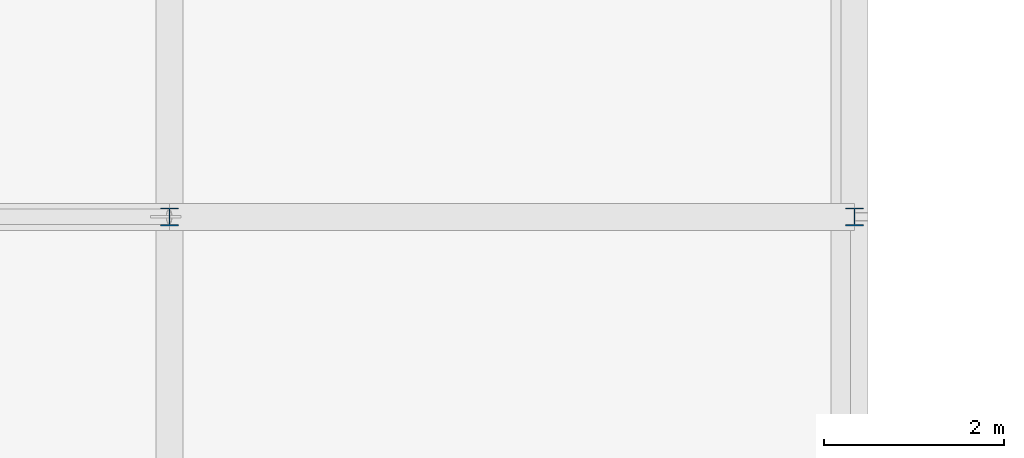
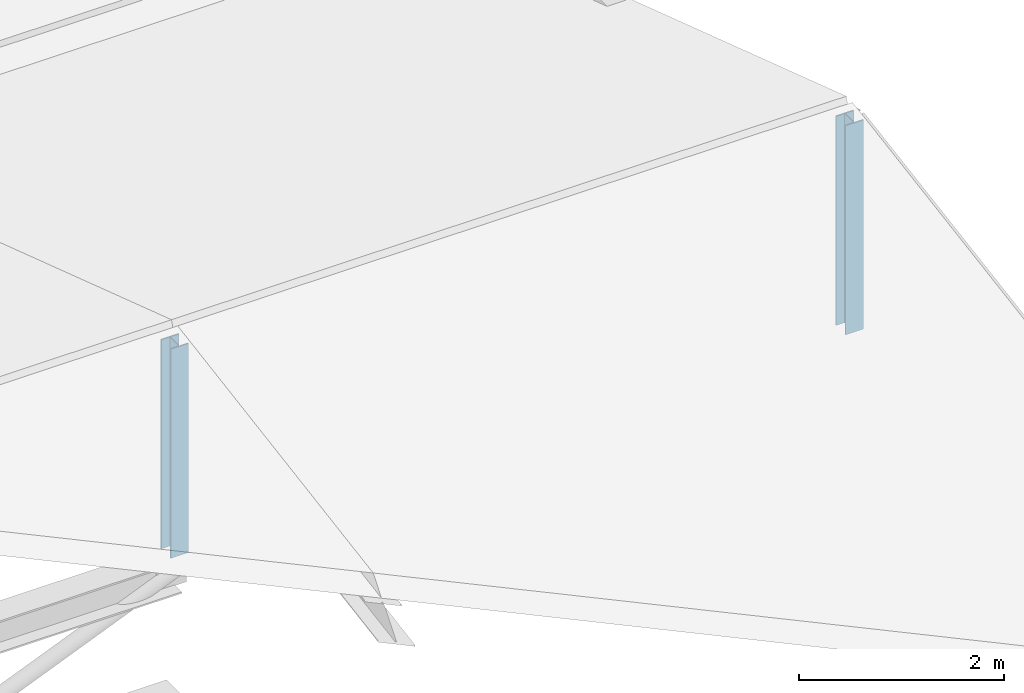
# One storey, part 2 of 65: 2 columns.
"""IFC4 building model written with IfcOpenShell, lengths in metres."""

from ifc_helpers import new_model, si_unit, direction, frame, origin, origin_2d, place, context, subcontext, project, spatial, i_section, extrude, material, material_profile, profile_set, type_object, element, save


model = new_model("IFC4")

# Units and contexts
model_context = context("Model", 3, precision=1e-05, world=origin(), true_north=direction((0.0, 1.0)))
body_context = subcontext(model_context, "Body", "Model", "MODEL_VIEW")
ifc_project = project(units=[si_unit("LENGTHUNIT", "METRE"), si_unit("AREAUNIT", "SQUARE_METRE"), si_unit("VOLUMEUNIT", "CUBIC_METRE"), si_unit("PLANEANGLEUNIT", "RADIAN"), si_unit("MASSUNIT", "GRAM", prefix="KILO")], contexts=[model_context])

# Site, building, storey
site_placement = place(None, origin())
site = spatial("IfcSite", under=ifc_project, at=site_placement, CompositionType="ELEMENT")
building_placement = place(site_placement, origin())
building = spatial("IfcBuilding", under=site, at=building_placement, Name="Montecoro Central Library", CompositionType="ELEMENT")
storey_placement = place(building_placement, frame((0.0, 0.0, 17.340087890625)))
storey = spatial("IfcBuildingStorey", under=building, at=storey_placement, Name="L04", CompositionType="ELEMENT", Elevation=17.340087890625)

# Columns
ifc_material = material(Name="Steel S355", Category="steel")
ifc_material_profile = material_profile(ifc_material, i_section(OverallWidth=0.199951171875, OverallDepth=0.199951171875, WebThickness=0.009033203125, FlangeThickness=0.014892578125, at=origin_2d()), Name="HEB 200")
ifc_profile_set = profile_set([ifc_material_profile], Name="Steel S355")
column_type = type_object("IfcColumnType", Name="COL-HEB200", PredefinedType="COLUMN", material=ifc_profile_set)
for number, where, z_axis, x_axis, name in (
    (1, (35.39990234375, 96.199951171875, -0.210205078125), (0.0, 0.0, 1.0), (1.0, 0.0, 0.0), "V4-ROOF-POST-5-N"),
    (2, (43.0, 96.199951171875, -0.210205078125), (0.0, 0.0, 1.0), (1.0, 0.0, 0.0), "V4-ROOF-POST-6-N"),
):
    element("IfcColumn", number, at=place(storey_placement, frame(where, z_axis=z_axis, x_axis=x_axis)), inside=storey, type_object=column_type, Name=name, PredefinedType="COLUMN", context=body_context, shape_type="SweptSolid", body=[
        extrude(i_section(OverallWidth=0.199951171875, OverallDepth=0.199951171875, WebThickness=0.009033203125, FlangeThickness=0.014892578125, at=origin_2d()), origin(), (0.0, 0.0, 1.0), 2.490234375),
    ])

save(model, "model.ifc")
